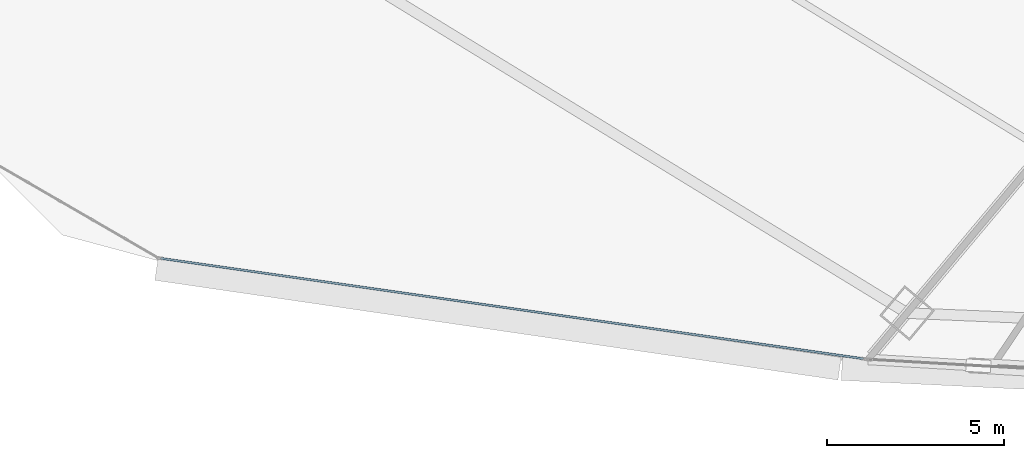
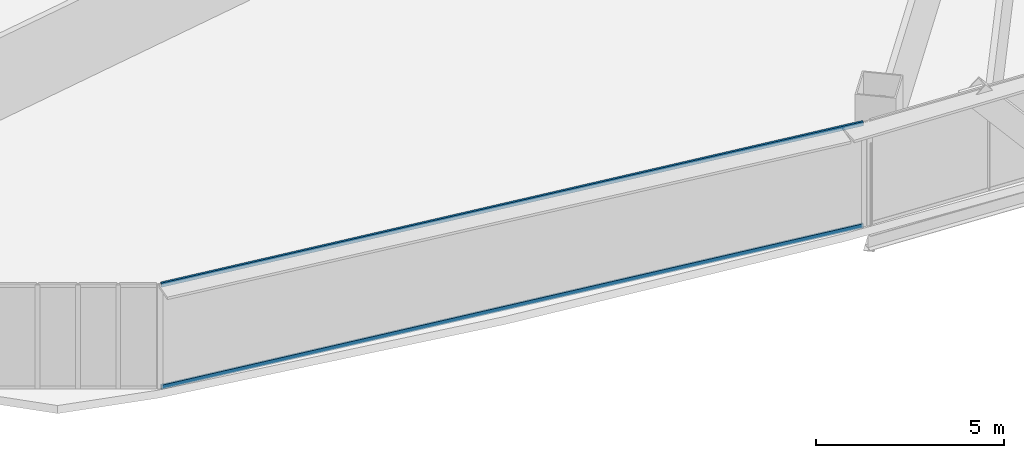
# One storey, part 3 of 42: 2 members, 1 element without a shape of its own.
"""IFC4 building model written with IfcOpenShell, lengths in metres."""

from ifc_helpers import new_model, si_unit, direction, frame, origin, origin_2d, place, context, subcontext, project, spatial, hollow_rectangle, extrude, source, transform, mapped, material, layer, layer_set, material_profile, profile_set, type_object, element, aggregate, save


model = new_model("IFC4")

# Units and contexts
model_context = context("Model", 3, precision=1e-05, world=origin(), true_north=direction((0.0, 1.0)))
body_context = subcontext(model_context, "Body", "Model", "MODEL_VIEW")
ifc_project = project(units=[si_unit("LENGTHUNIT", "METRE"), si_unit("AREAUNIT", "SQUARE_METRE"), si_unit("VOLUMEUNIT", "CUBIC_METRE"), si_unit("PLANEANGLEUNIT", "RADIAN"), si_unit("MASSUNIT", "GRAM", prefix="KILO"), si_unit("THERMODYNAMICTEMPERATUREUNIT", "KELVIN"), si_unit("POWERUNIT", "WATT")], contexts=[model_context])

# Site, building, storey
site_placement = place(None, origin())
site = spatial("IfcSite", under=ifc_project, at=site_placement, CompositionType="ELEMENT")
building_placement = place(site_placement, origin())
building = spatial("IfcBuilding", under=site, at=building_placement, Name="Yunzhuo Pagoda Commons", CompositionType="ELEMENT")
storey_placement = place(building_placement, frame((0.0, 0.0, 41.2900390625)))
storey = spatial("IfcBuildingStorey", under=building, at=storey_placement, Name="L10", CompositionType="ELEMENT", Elevation=41.2900390625)

# Curtain wall, members
ifc_material = material(Name="Anodized aluminium 6063-T6", Category="aluminium")
ifc_layer = layer(ifc_material, 0.1650390625)
ifc_layer_set = layer_set([ifc_layer], Name="Anodized aluminium 6063-T6")
curtain_wall_type = type_object("IfcCurtainWallType", Name="CW-LOW Low-Zone Ribbon Curtain Wall", PredefinedType="NOTDEFINED", material=ifc_layer_set)
curtain_wall_placement = place(storey_placement, origin())
curtain_wall = element("IfcCurtainWall", 1, at=curtain_wall_placement, inside=storey, type_object=curtain_wall_type, Name="L10 curtain wall CW-L10-F1B1", PredefinedType="NOTDEFINED")
ifc_material_profile = material_profile(ifc_material, hollow_rectangle(XDim=0.06005859375, YDim=0.139892578125, WallThickness=0.00341796875, at=origin_2d()), Name="Anodized aluminium 6063-T6")
ifc_profile_set = profile_set([ifc_material_profile], Name="Anodized aluminium 6063-T6")
member_type = type_object("IfcMemberType", Name="CW-LOW-T Transom RHS 140x60x3.5", PredefinedType="USERDEFINED", material=ifc_profile_set)
shared_shape = source(origin(), body_context, "Body", "SweptSolid", [
    extrude(hollow_rectangle(XDim=0.06005859375, YDim=0.139892578125, WallThickness=0.00341796875, at=origin_2d()), origin(), (0.0, 0.0, 1.0), 20.067138671875),
])
member_1_placement = place(storey_placement, frame((9.396240234375, 14.39208984375, 0.030029296875), z_axis=(0.989939271469, -0.141492893118, 0.0), x_axis=(0.141492893118, 0.989939271469, 0.0)))
member_1 = element("IfcMember", 2, at=member_1_placement, type_object=member_type, Name="CW transom 1.1", ObjectType="TRANSOM", PredefinedType="USERDEFINED", context=body_context, shape_type="MappedRepresentation", body=[
    mapped(shared_shape, transform((0.0, 0.0, 0.0), scale=1.0)),
])
member_2_placement = place(storey_placement, frame((9.396240234375, 14.39208984375, 3.33984375), z_axis=(0.989939271469, -0.141492893118, 0.0), x_axis=(0.141492893118, 0.989939271469, 0.0)))
member_2 = element("IfcMember", 3, at=member_2_placement, type_object=member_type, Name="CW transom 1.2", ObjectType="TRANSOM", PredefinedType="USERDEFINED", context=body_context, shape_type="MappedRepresentation", body=[
    mapped(shared_shape, transform((0.0, 0.0, 0.0), scale=1.0)),
])
aggregate(curtain_wall, [member_1, member_2])

save(model, "model.ifc")
